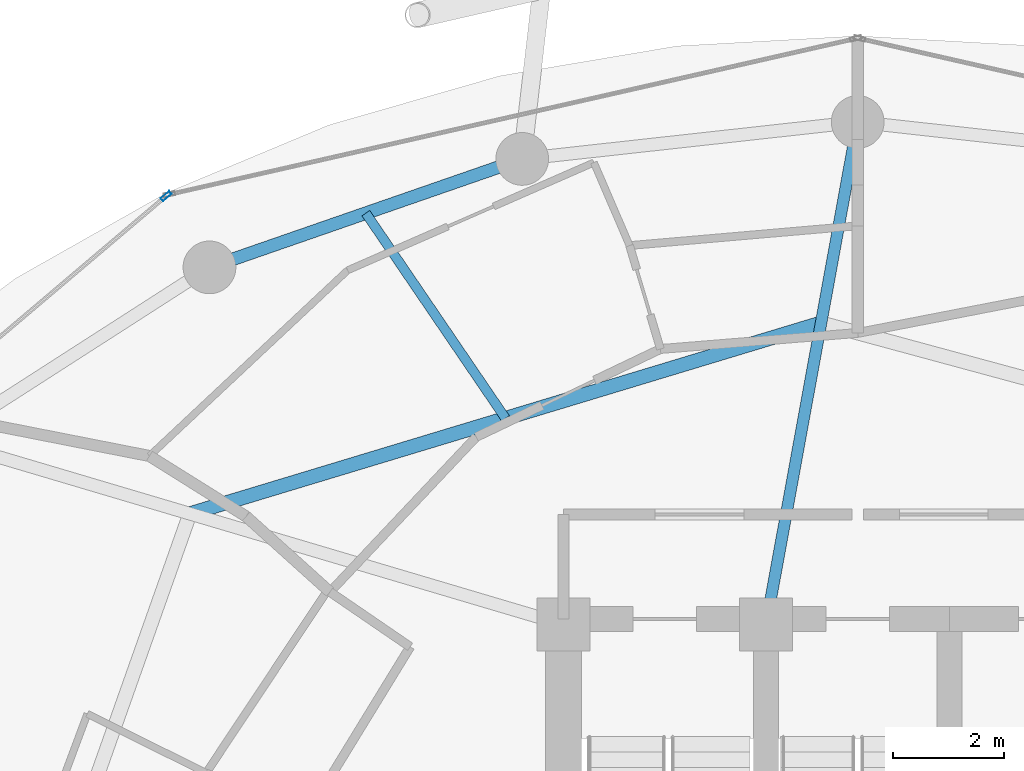
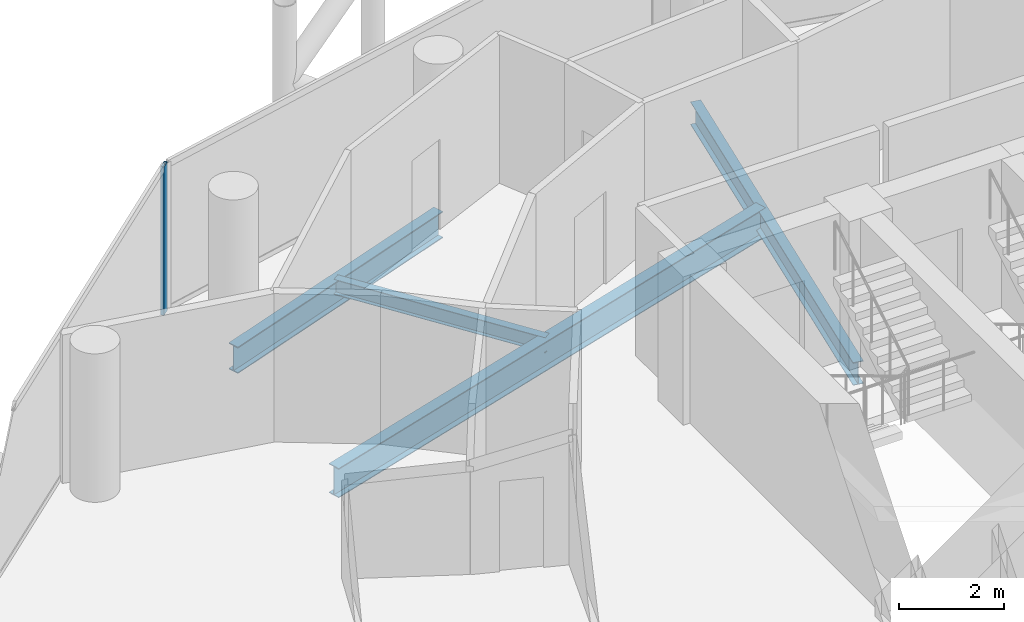
# One storey, part 15 of 26: 4 beams, 1 member, 1 element without a shape of its own.
"""IFC4 building model written with IfcOpenShell, lengths in metres."""

from ifc_helpers import new_model, si_unit, direction, frame, origin, origin_2d, place, context, subcontext, project, spatial, hollow_rectangle, i_section, extrude, material, layer, layer_set, material_profile, profile_set, type_object, element, aggregate, save


model = new_model("IFC4")

# Units and contexts
model_context = context("Model", 3, precision=1e-05, world=origin(), true_north=direction((0.0, 1.0)))
body_context = subcontext(model_context, "Body", "Model", "MODEL_VIEW")
ifc_project = project(units=[si_unit("LENGTHUNIT", "METRE"), si_unit("AREAUNIT", "SQUARE_METRE"), si_unit("VOLUMEUNIT", "CUBIC_METRE"), si_unit("PLANEANGLEUNIT", "RADIAN"), si_unit("MASSUNIT", "GRAM", prefix="KILO")], contexts=[model_context])

# Site, building, storey
site_placement = place(None, origin())
site = spatial("IfcSite", under=ifc_project, at=site_placement, CompositionType="ELEMENT")
building_placement = place(site_placement, origin())
building = spatial("IfcBuilding", under=site, at=building_placement, Name="Nuhasar Tower", CompositionType="ELEMENT")
storey_placement = place(building_placement, frame((0.0, 0.0, 136.75)))
storey = spatial("IfcBuildingStorey", under=building, at=storey_placement, Name="L32", CompositionType="ELEMENT", Elevation=136.75)

# Beams
ifc_material_1 = material(Name="Steel S355", Category="steel")
ifc_material_profile_1 = material_profile(ifc_material_1, i_section(OverallWidth=0.25390625, OverallDepth=0.68408203125, WebThickness=0.012451171875, FlangeThickness=0.018798828125, at=origin_2d()), Name="W27X94")
ifc_profile_set_1 = profile_set([ifc_material_profile_1], Name="Steel S355")
beam_type_1 = type_object("IfcBeamType", Name="BM-INRING-W27X94", PredefinedType="BEAM", material=ifc_profile_set_1)
beam_1_placement = place(storey_placement, frame((38.340087890625, 42.72998046875, -0.592041015625), z_axis=(-0.95722440557, -0.289346569673, 0.0), x_axis=(0.289346569673, -0.95722440557, 0.0)))
element("IfcBeam", 1, at=beam_1_placement, inside=storey, type_object=beam_type_1, Name="L32 Inner Header Beam 06", PredefinedType="BEAM", context=body_context, shape_type="SweptSolid", body=[
    extrude(i_section(OverallWidth=0.25390625, OverallDepth=0.68408203125, WebThickness=0.012451171875, FlangeThickness=0.018798828125, at=origin_2d()), origin(), (0.0, 0.0, 1.0), 11.875244140625),
])
ifc_material_profile_2 = material_profile(ifc_material_1, i_section(OverallWidth=0.1708984375, OverallDepth=0.35205078125, WebThickness=0.0068359375, FlangeThickness=0.009765625, at=origin_2d()), Name="W14X30")
ifc_profile_set_2 = profile_set([ifc_material_profile_2], Name="Steel S355")
beam_type_2 = type_object("IfcBeamType", Name="BM-JST-W14X30", PredefinedType="JOIST", material=ifc_profile_set_2)
beam_2_placement = place(storey_placement, frame((32.656982421875, 41.011962890625, -0.426025390625), z_axis=(-0.562802886474, 0.826591138941, 0.0), x_axis=(-0.826591138941, -0.562802886474, 0.0)))
element("IfcBeam", 2, at=beam_2_placement, inside=storey, type_object=beam_type_2, Name="L32 Secondary Floor Joist 06", PredefinedType="JOIST", context=body_context, shape_type="SweptSolid", body=[
    extrude(i_section(OverallWidth=0.1708984375, OverallDepth=0.35205078125, WebThickness=0.0068359375, FlangeThickness=0.009765625, at=origin_2d()), origin(), (0.0, 0.0, 1.0), 4.47021484375),
])
ifc_material_profile_3 = material_profile(ifc_material_1, i_section(OverallWidth=0.208984375, OverallDepth=0.532958984375, WebThickness=0.01025390625, FlangeThickness=0.015625, at=origin_2d()), Name="W21X62")
ifc_profile_set_3 = profile_set([ifc_material_profile_3], Name="Steel S355")
beam_type_3 = type_object("IfcBeamType", Name="BM-RAD-W21X62", PredefinedType="BEAM", material=ifc_profile_set_3)
beam_3_placement = place(storey_placement, frame((37.35009765625, 37.300048828125, -0.51708984375), z_axis=(0.179352509513, 0.983784873502, 0.0), x_axis=(-0.983784873502, 0.179352509513, 0.0)))
element("IfcBeam", 3, at=beam_3_placement, inside=storey, type_object=beam_type_3, Name="L32 Radial Floor Girder 06", PredefinedType="BEAM", context=body_context, shape_type="SweptSolid", body=[
    extrude(i_section(OverallWidth=0.208984375, OverallDepth=0.532958984375, WebThickness=0.01025390625, FlangeThickness=0.015625, at=origin_2d()), origin(), (0.0, 0.0, 1.0), 9.19921875),
])
ifc_material_profile_4 = material_profile(ifc_material_1, i_section(OverallWidth=0.22998046875, OverallDepth=0.616943359375, WebThickness=0.01318359375, FlangeThickness=0.022216796875, at=origin_2d()), Name="W24X94")
ifc_profile_set_4 = profile_set([ifc_material_profile_4], Name="Steel S355")
beam_type_4 = type_object("IfcBeamType", Name="BM-RING-W24X94", PredefinedType="SPANDREL", material=ifc_profile_set_4)
beam_4_placement = place(storey_placement, frame((32.95703125, 45.68408203125, -0.55908203125), z_axis=(-0.944801380051, -0.327643636066, 0.0), x_axis=(0.327643636066, -0.944801380051, 0.0)))
element("IfcBeam", 4, at=beam_4_placement, inside=storey, type_object=beam_type_4, Name="L32 Perimeter Ring Spandrel 08", PredefinedType="SPANDREL", context=body_context, shape_type="SweptSolid", body=[
    extrude(i_section(OverallWidth=0.22998046875, OverallDepth=0.616943359375, WebThickness=0.01318359375, FlangeThickness=0.022216796875, at=origin_2d()), origin(), (0.0, 0.0, 1.0), 5.961181640625),
])

# Curtain wall, member
ifc_material_2 = material(Name="Aluminium 6063-T6", Category="aluminium")
ifc_layer = layer(ifc_material_2, 0.199951171875)
ifc_layer_set = layer_set([ifc_layer], Name="Aluminium 6063-T6")
curtain_wall_type = type_object("IfcCurtainWallType", Name="CW-Z2-HTL", PredefinedType="NOTDEFINED", material=ifc_layer_set)
curtain_wall_placement = place(storey_placement, origin())
curtain_wall = element("IfcCurtainWall", 5, at=curtain_wall_placement, inside=storey, type_object=curtain_wall_type, Name="L32 Unitised Curtain Wall 05", PredefinedType="NOTDEFINED")
ifc_material_profile_5 = material_profile(ifc_material_2, hollow_rectangle(XDim=0.070068359375, YDim=0.199951171875, WallThickness=0.0048828125, at=origin_2d()), Name="CWM-3")
ifc_profile_set_5 = profile_set([ifc_material_profile_5], Name="Aluminium 6063-T6")
member_type = type_object("IfcMemberType", Name="CW-MUL-S3", PredefinedType="MULLION", material=ifc_profile_set_5)
member_placement = place(storey_placement, frame((26.543212890625, 45.015380859375, 0.0), z_axis=(0.0, 0.0, 1.0), x_axis=(0.646374438324, -0.763020370292, 0.0)))
member = element("IfcMember", 6, at=member_placement, type_object=member_type, Name="CW-Z2 mullion 1", PredefinedType="MULLION", context=body_context, shape_type="SweptSolid", body=[
    extrude(hollow_rectangle(XDim=0.070068359375, YDim=0.199951171875, WallThickness=0.0048828125, at=origin_2d()), origin(), (0.0, 0.0, 1.0), 3.449951171875),
])
aggregate(curtain_wall, [member])

save(model, "model.ifc")
